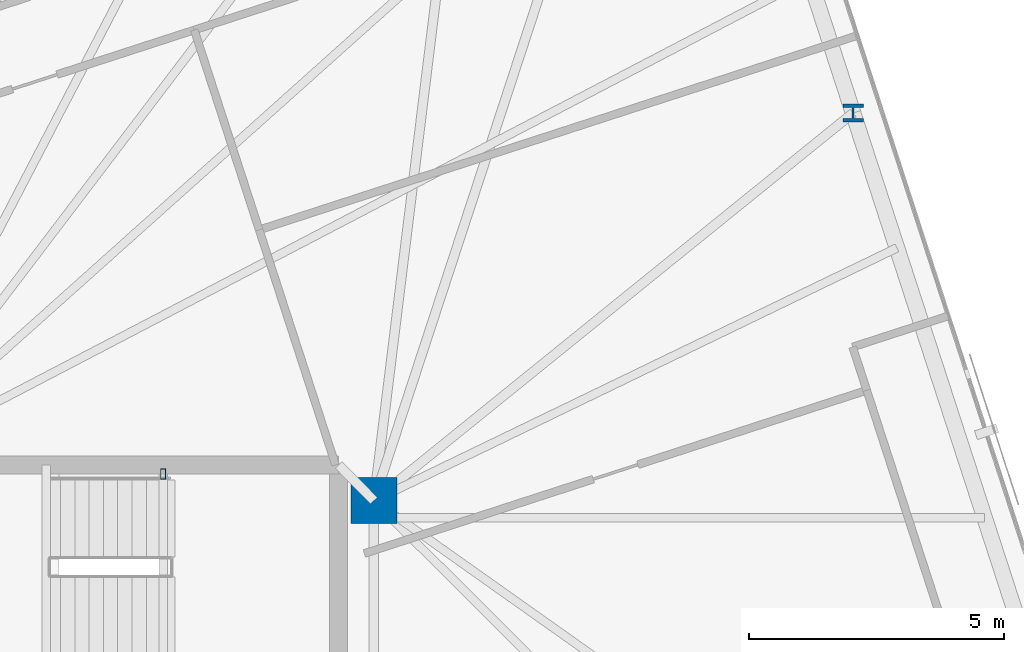
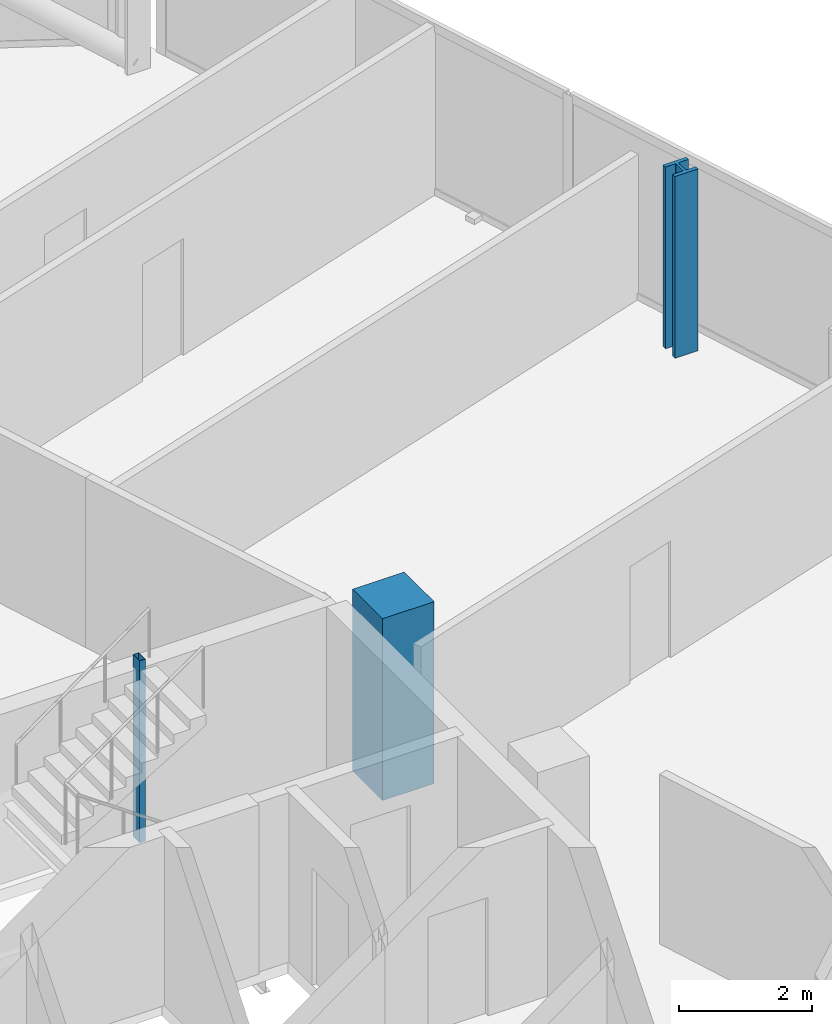
# One storey, part 3 of 20: 3 columns.
"""IFC4 building model written with IfcOpenShell, lengths in metres."""

from ifc_helpers import new_model, si_unit, direction, frame, origin, origin_2d, place, context, subcontext, project, spatial, rectangle, hollow_rectangle, i_section, extrude, material, material_profile, profile_set, type_object, element, save


model = new_model("IFC4")

# Units and contexts
model_context = context("Model", 3, precision=1e-05, world=origin(), true_north=direction((0.0, 1.0)))
body_context = subcontext(model_context, "Body", "Model", "MODEL_VIEW")
ifc_project = project(units=[si_unit("LENGTHUNIT", "METRE"), si_unit("AREAUNIT", "SQUARE_METRE"), si_unit("VOLUMEUNIT", "CUBIC_METRE"), si_unit("PLANEANGLEUNIT", "RADIAN"), si_unit("MASSUNIT", "GRAM", prefix="KILO")], contexts=[model_context])

# Site, building, storey
site_placement = place(None, origin())
site = spatial("IfcSite", under=ifc_project, at=site_placement, CompositionType="ELEMENT")
building_placement = place(site_placement, origin())
building = spatial("IfcBuilding", under=site, at=building_placement, Name="Menara Jurai Vektor", CompositionType="ELEMENT")
storey_placement = place(building_placement, frame((0.0, 0.0, 247.75)))
storey = spatial("IfcBuildingStorey", under=building, at=storey_placement, Name="L66", CompositionType="ELEMENT", Elevation=247.75)

# Columns
ifc_material_1 = material(Name="Concrete C50/60", Category="concrete")
ifc_material_profile_1 = material_profile(ifc_material_1, rectangle(XDim=0.89990234375, YDim=0.89990234375, at=origin_2d()), Name="RC 900x900")
ifc_profile_set_1 = profile_set([ifc_material_profile_1], Name="Concrete C50/60")
column_type_1 = type_object("IfcColumnType", Name="STR-COL-RC900", PredefinedType="COLUMN", material=ifc_profile_set_1)
column_1_placement = place(storey_placement, frame((15.25, 4.89990234375, 0.0), z_axis=(0.0, 0.0, 1.0), x_axis=(1.0, 0.0, 0.0)))
element("IfcColumn", 1, at=column_1_placement, inside=storey, type_object=column_type_1, Name="Core Spine Column CE-NE L66", PredefinedType="COLUMN", context=body_context, shape_type="SweptSolid", body=[
    extrude(rectangle(XDim=0.89990234375, YDim=0.89990234375, at=origin_2d()), origin(), (0.0, 0.0, 1.0), 3.35009765625),
])
ifc_material_2 = material(Name="Steel S355", Category="steel")
ifc_material_profile_2 = material_profile(ifc_material_2, hollow_rectangle(XDim=0.10009765625, YDim=0.199951171875, WallThickness=0.008056640625, at=origin_2d()), Name="RHS 200x100x8")
ifc_profile_set_2 = profile_set([ifc_material_profile_2], Name="Steel S355")
column_type_2 = type_object("IfcColumnType", Name="STR-COL-STAIR", PredefinedType="COLUMN", material=ifc_profile_set_2)
column_2_placement = place(storey_placement, frame((11.1201171875, 5.419921875, 0.0), z_axis=(0.0, 0.0, 1.0), x_axis=(1.0, 0.0, 0.0)))
element("IfcColumn", 2, at=column_2_placement, inside=storey, type_object=column_type_2, Name="Stair Well Header Column ST2-P2 L66", PredefinedType="COLUMN", context=body_context, shape_type="SweptSolid", body=[
    extrude(hollow_rectangle(XDim=0.10009765625, YDim=0.199951171875, WallThickness=0.008056640625, at=origin_2d()), origin(), (0.0, 0.0, 1.0), 3.35009765625),
])
ifc_material_3 = material(Name="Steel S460", Category="steel")
ifc_material_profile_3 = material_profile(ifc_material_3, i_section(OverallWidth=0.405029296875, OverallDepth=0.35498046875, WebThickness=0.0419921875, FlangeThickness=0.068115234375, FilletRadius=0.014892578125, at=origin_2d()), Name="HD 400x551")
ifc_profile_set_3 = profile_set([ifc_material_profile_3], Name="Steel S460")
column_type_3 = type_object("IfcColumnType", Name="STR-EXO-BLK4", PredefinedType="COLUMN", material=ifc_profile_set_3)
column_3_placement = place(storey_placement, frame((24.641845703125, 12.496826171875, 0.0), z_axis=(0.0, 0.0, 1.0), x_axis=(1.0, 0.0, 0.0)))
element("IfcColumn", 3, at=column_3_placement, inside=storey, type_object=column_type_3, Name="Exoskeleton Column BLK4-E3 L66", PredefinedType="COLUMN", context=body_context, shape_type="SweptSolid", body=[
    extrude(i_section(OverallWidth=0.405029296875, OverallDepth=0.35498046875, WebThickness=0.0419921875, FlangeThickness=0.068115234375, FilletRadius=0.014892578125, at=origin_2d()), origin(), (0.0, 0.0, 1.0), 3.35009765625),
])

save(model, "model.ifc")
